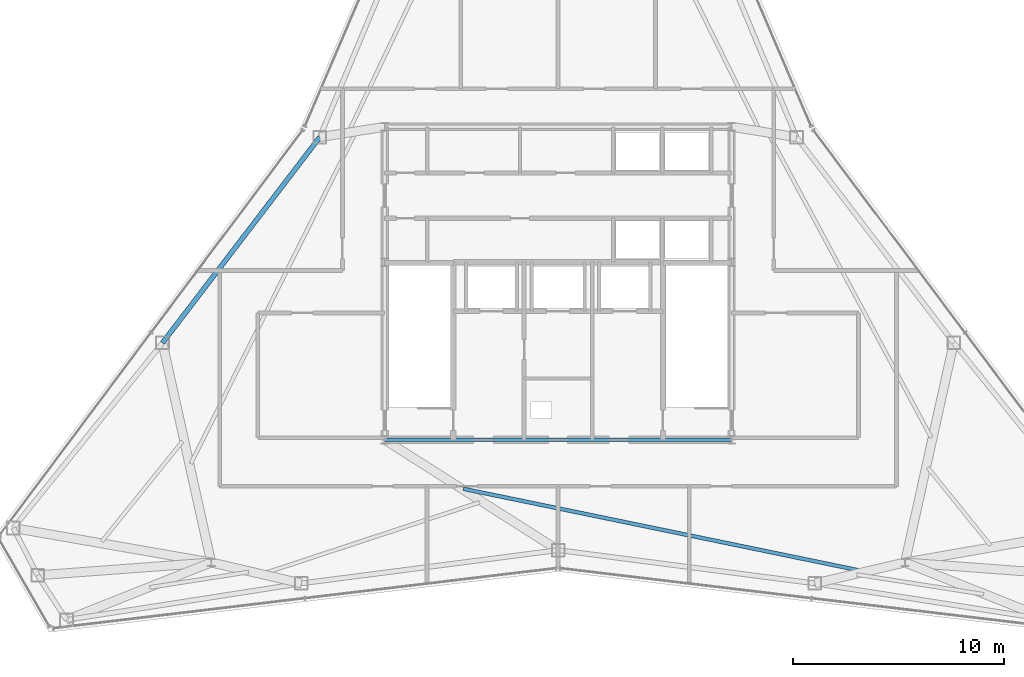
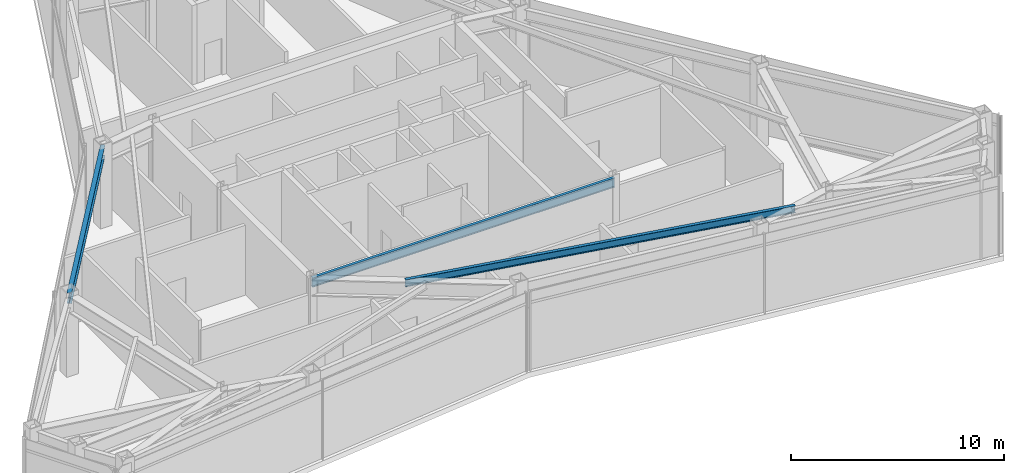
# One storey, part 4 of 11: 3 beams.
"""IFC4 building model written with IfcOpenShell, lengths in metres."""

from ifc_helpers import new_model, si_unit, direction, frame, origin, origin_2d, place, context, subcontext, project, spatial, i_section, extrude, material, material_profile, profile_set, type_object, element, save


model = new_model("IFC4")

# Units and contexts
model_context = context("Model", 3, precision=1e-05, world=origin(), true_north=direction((0.0, 1.0)))
body_context = subcontext(model_context, "Body", "Model", "MODEL_VIEW")
ifc_project = project(units=[si_unit("LENGTHUNIT", "METRE"), si_unit("AREAUNIT", "SQUARE_METRE"), si_unit("VOLUMEUNIT", "CUBIC_METRE"), si_unit("PLANEANGLEUNIT", "RADIAN"), si_unit("MASSUNIT", "GRAM", prefix="KILO")], contexts=[model_context])

# Site, building, storey
site_placement = place(None, origin())
site = spatial("IfcSite", under=ifc_project, at=site_placement, CompositionType="ELEMENT")
building_placement = place(site_placement, origin())
building = spatial("IfcBuilding", under=site, at=building_placement, Name="Varakhsha Concourse Tower", CompositionType="ELEMENT")
storey_placement = place(building_placement, frame((0.0, 0.0, 290.0)))
storey = spatial("IfcBuildingStorey", under=building, at=storey_placement, Name="L82", CompositionType="ELEMENT", Elevation=290.0)

# Beams
ifc_material = material(Name="Structural Steel ASTM A992 Grade 50", Category="steel")
ifc_material_profile_1 = material_profile(ifc_material, i_section(OverallWidth=0.177978515625, OverallDepth=0.406982421875, WebThickness=0.008056640625, FlangeThickness=0.012939453125, at=origin_2d()), Name="W16X40")
ifc_profile_set_1 = profile_set([ifc_material_profile_1], Name="Structural Steel ASTM A992 Grade 50")
beam_type_1 = type_object("IfcBeamType", Name="BM-JST-W16X40", PredefinedType="JOIST", material=ifc_profile_set_1)
beam_1_placement = place(storey_placement, frame((35.515625, 14.083251953125, 4.33642578125), z_axis=(0.979407631948, -0.20189276976, 0.0), x_axis=(0.20189276976, 0.979407631948, 0.0)))
element("IfcBeam", 1, at=beam_1_placement, inside=storey, type_object=beam_type_1, Name="BM-TJST-L82-11", PredefinedType="JOIST", context=body_context, shape_type="SweptSolid", body=[
    extrude(i_section(OverallWidth=0.177978515625, OverallDepth=0.406982421875, WebThickness=0.008056640625, FlangeThickness=0.012939453125, at=origin_2d()), origin(), (0.0, 0.0, 1.0), 19.2998046875),
])
ifc_material_profile_2 = material_profile(ifc_material, i_section(OverallWidth=0.1669921875, OverallDepth=0.534912109375, WebThickness=0.010009765625, FlangeThickness=0.01708984375, at=origin_2d()), Name="W21X57")
ifc_profile_set_2 = profile_set([ifc_material_profile_2], Name="Structural Steel ASTM A992 Grade 50")
beam_type_2 = type_object("IfcBeamType", Name="BM-RAD-W21X57", PredefinedType="BEAM", material=ifc_profile_set_2)
beam_2_placement = place(storey_placement, frame((31.800048828125, 16.39990234375, 4.2724609375), z_axis=(1.0, 0.0, 0.0), x_axis=(0.0, 1.0, 0.0)))
element("IfcBeam", 2, at=beam_2_placement, inside=storey, type_object=beam_type_2, Name="BM-TCORE-L82-CS", PredefinedType="BEAM", context=body_context, shape_type="SweptSolid", body=[
    extrude(i_section(OverallWidth=0.1669921875, OverallDepth=0.534912109375, WebThickness=0.010009765625, FlangeThickness=0.01708984375, at=origin_2d()), origin(), (0.0, 0.0, 1.0), 16.39990234375),
])
ifc_material_profile_3 = material_profile(ifc_material, i_section(OverallWidth=0.22900390625, OverallDepth=0.612060546875, WebThickness=0.011962890625, FlangeThickness=0.02001953125, at=origin_2d()), Name="W24X84")
ifc_profile_set_3 = profile_set([ifc_material_profile_3], Name="Structural Steel ASTM A992 Grade 50")
beam_type_3 = type_object("IfcBeamType", Name="BM-SPAN-W24X84", PredefinedType="SPANDREL", material=ifc_profile_set_3)
beam_3_placement = place(storey_placement, frame((28.728759765625, 30.70751953125, 4.23388671875), z_axis=(-0.60724726041, -0.794512910357, 0.0), x_axis=(0.794512910357, -0.60724726041, 0.0)))
element("IfcBeam", 3, at=beam_3_placement, inside=storey, type_object=beam_type_3, Name="BM-SPAN-L82-05", PredefinedType="SPANDREL", context=body_context, shape_type="SweptSolid", body=[
    extrude(i_section(OverallWidth=0.22900390625, OverallDepth=0.612060546875, WebThickness=0.011962890625, FlangeThickness=0.02001953125, at=origin_2d()), origin(), (0.0, 0.0, 1.0), 12.241943359375),
])

save(model, "model.ifc")
